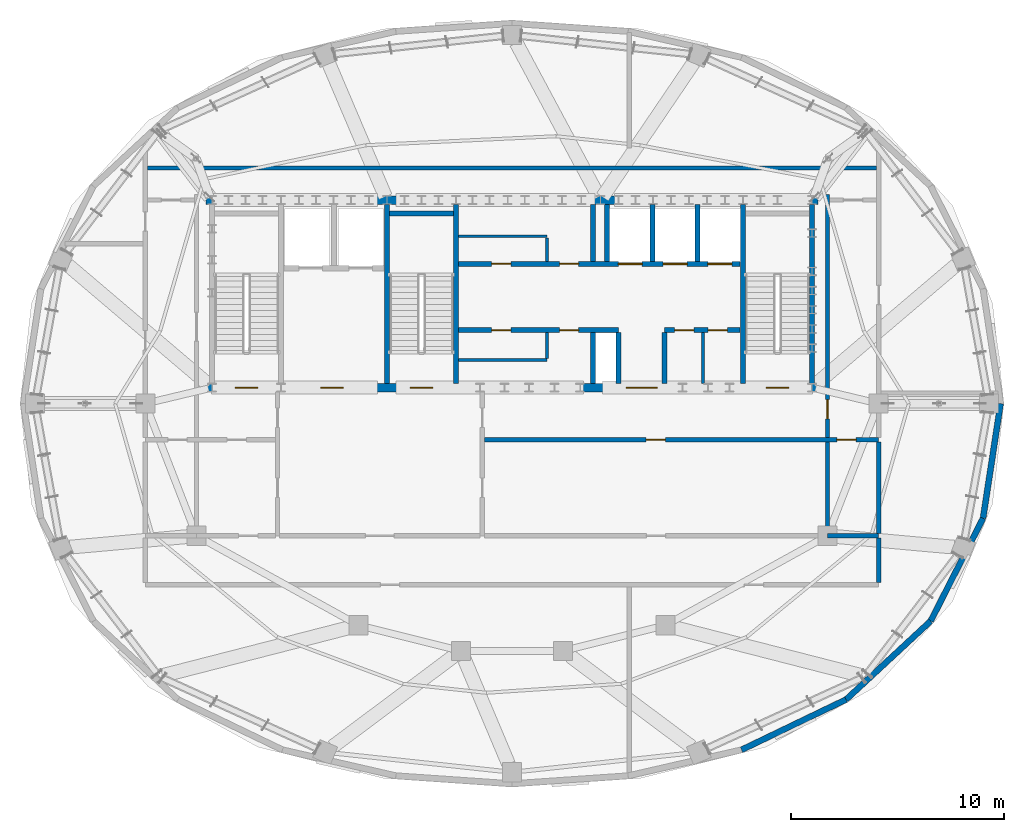
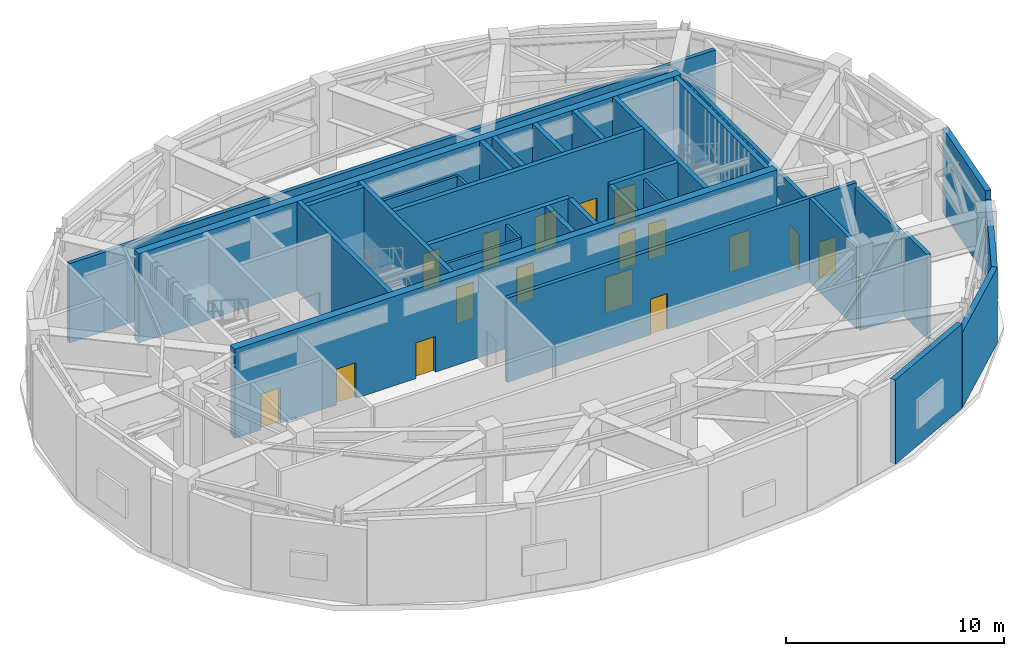
# One storey, part 11 of 15: 33 walls, 17 doors, 17 openings.
"""IFC4 building model written with IfcOpenShell, lengths in metres."""

from ifc_helpers import new_model, si_unit, direction, frame, frame_2d, origin, place, context, subcontext, project, spatial, rectangle, extrude, material, layer, layer_set, type_object, element, fill, save


model = new_model("IFC4")

# Units and contexts
model_context = context("Model", 3, precision=1e-05, world=origin(), true_north=direction((0.0, 1.0)))
body_context = subcontext(model_context, "Body", "Model", "MODEL_VIEW")
ifc_project = project(units=[si_unit("LENGTHUNIT", "METRE"), si_unit("AREAUNIT", "SQUARE_METRE"), si_unit("VOLUMEUNIT", "CUBIC_METRE"), si_unit("PLANEANGLEUNIT", "RADIAN"), si_unit("MASSUNIT", "GRAM", prefix="KILO")], contexts=[model_context])

# Site, building, storey
site_placement = place(None, origin())
site = spatial("IfcSite", under=ifc_project, at=site_placement, CompositionType="ELEMENT")
building_placement = place(site_placement, origin())
building = spatial("IfcBuilding", under=site, at=building_placement, Name="Haldorwick Loom Tower", CompositionType="ELEMENT")
storey_placement = place(building_placement, frame((0.0, 0.0, 286.5)))
storey = spatial("IfcBuildingStorey", under=building, at=storey_placement, Name="L77", CompositionType="ELEMENT", Elevation=286.5)

# Walls
ifc_material_1 = material(Name="Pressed Clay Face Brick and Insulated Masonry Backup Assembly", Category="masonry")
ifc_layer_1 = layer(ifc_material_1, 0.280029296875, Name="Pressed Clay Face Brick and Insulated Masonry Backup Assembly", Category="masonry")
ifc_layer_set_1 = layer_set([ifc_layer_1], Name="Pressed Clay Face Brick and Insulated Masonry Backup Assembly")
wall_type_1 = type_object("IfcWallType", Name="ARC-WL-EXT280", PredefinedType="STANDARD", material=ifc_layer_set_1)
wall_1_placement = place(storey_placement, frame((46.768798828125, 9.755859375, 0.0), z_axis=(0.0, 0.0, 1.0), x_axis=(0.901083511605, 0.433645598518, 0.0)))
element("IfcWall", 1, at=wall_1_placement, inside=storey, type_object=wall_type_1, Name="L77 Brick Pier and Spandrel Wall 21", PredefinedType="STANDARD", context=body_context, shape_type="SweptSolid", body=[
    extrude(rectangle(XDim=5.440185546875, YDim=0.280029296875, at=frame_2d((2.72021484375, 0.0))), origin(), (0.0, 0.0, 1.0), 4.719970703125),
])
for number, where, z_axis, x_axis, name in (
    (2, (51.6708984375, 12.114990234375, 0.0), (0.0, 0.0, 1.0), (0.733156506145, 0.680059951399, 0.0), "L77 Brick Pier and Spandrel Wall 22"),
    (3, (55.638671875, 15.79541015625, 0.0), (0.0, 0.0, 1.0), (0.454417014044, 0.890789075678, 0.0), "L77 Brick Pier and Spandrel Wall 23"),
):
    element("IfcWall", number, at=place(storey_placement, frame(where, z_axis=z_axis, x_axis=x_axis)), inside=storey, type_object=wall_type_1, Name=name, PredefinedType="STANDARD", context=body_context, shape_type="SweptSolid", body=[
        extrude(rectangle(XDim=5.411865234375, YDim=0.280029296875, at=frame_2d((2.7060546875, 0.0))), origin(), (0.0, 0.0, 1.0), 4.22900390625),
    ])
wall_2_placement = place(storey_placement, frame((58.097900390625, 20.6162109375, 0.0), z_axis=(0.0, 0.0, 1.0), x_axis=(0.151110573005, 0.988516866182, 0.0)))
element("IfcWall", 4, at=wall_2_placement, inside=storey, type_object=wall_type_1, Name="L77 Brick Pier and Spandrel Wall 24", PredefinedType="STANDARD", context=body_context, shape_type="SweptSolid", body=[
    extrude(rectangle(XDim=5.4462890625, YDim=0.280029296875, at=frame_2d((2.72314453125, 0.0))), origin(), (0.0, 0.0, 1.0), 4.719970703125),
])

# Wall, openings, doors
ifc_material_2 = material(Name="Fire-Rated Type X Gypsum Stud Assembly EI 120")
ifc_layer_2 = layer(ifc_material_2, 0.199951171875, Name="Fire-Rated Type X Gypsum Stud Assembly EI 120")
ifc_layer_set_2 = layer_set([ifc_layer_2], Name="Fire-Rated Type X Gypsum Stud Assembly EI 120")
wall_type_2 = type_object("IfcWallType", Name="ARC-WL-FIRE200", PredefinedType="PARTITIONING", material=ifc_layer_set_2)
wall_3_placement = place(storey_placement, frame((34.702880859375, 24.300048828125, 0.0), z_axis=(0.0, 0.0, 1.0), x_axis=(1.0, 0.0, 0.0)))
wall_3 = element("IfcWall", 5, at=wall_3_placement, inside=storey, type_object=wall_type_2, Name="L77 Interior Partition L77-PC-S2", PredefinedType="PARTITIONING", context=body_context, shape_type="SweptSolid", body=[
    extrude(rectangle(XDim=18.4970703125, YDim=0.199951171875, at=frame_2d((9.24853515625, 0.0))), origin(), (0.0, 0.0, 1.0), 4.705078125),
])
opening_1_placement = place(wall_3_placement, frame((7.58740234375, 0.0, 0.0)))
opening_1 = element("IfcOpeningElement", 6, at=opening_1_placement, cuts=wall_3, Name="Opening D-FD60A", PredefinedType="OPENING", context=body_context, shape_type="SweptSolid", body=[
    extrude(rectangle(XDim=0.89990234375, YDim=2.0, at=frame_2d((0.449951171875, 1.0))), frame((0.0, 0.10986328125, 0.0), z_axis=(0.0, -1.0, 0.0), x_axis=(1.0, 0.0, 0.0)), (0.0, 0.0, 1.0), 0.219970703125),
])
opening_2_placement = place(wall_3_placement, frame((16.53564453125, 0.0, 0.0)))
opening_2 = element("IfcOpeningElement", 7, at=opening_2_placement, cuts=wall_3, Name="Opening D-FD60A", PredefinedType="OPENING", context=body_context, shape_type="SweptSolid", body=[
    extrude(rectangle(XDim=0.89990234375, YDim=2.0, at=frame_2d((0.449951171875, 1.0))), frame((0.0, 0.10986328125, 0.0), z_axis=(0.0, -1.0, 0.0), x_axis=(1.0, 0.0, 0.0)), (0.0, 0.0, 1.0), 0.219970703125),
])
ifc_material_3 = material(Name="Hollow Steel Fire Door Assembly", Category="steel")
door_type_1 = type_object("IfcDoorType", Name="ARC-DR-FD60-90", OperationType="NOTDEFINED", PredefinedType="DOOR", material=ifc_material_3)
door_1_placement = place(opening_1_placement, origin())
door_1 = element("IfcDoor", 8, at=door_1_placement, inside=storey, type_object=door_type_1, Name="L77 East Plant Exit Corridor to Electrical Transformer Room 6 Door", OperationType="SINGLE_SWING_RIGHT", OverallHeight=2.0, OverallWidth=0.89990234375, PredefinedType="DOOR", context=body_context, shape_type="SweptSolid", body=[
    extrude(rectangle(XDim=0.89990234375, YDim=2.0, at=frame_2d((0.449951171875, 1.0))), frame((0.0, 0.02490234375, 0.0), z_axis=(0.0, -1.0, 0.0), x_axis=(1.0, 0.0, 0.0)), (0.0, 0.0, 1.0), 0.050048828125),
])
fill(opening_1, door_1)
door_2_placement = place(opening_2_placement, origin())
door_2 = element("IfcDoor", 9, at=door_2_placement, inside=storey, type_object=door_type_1, Name="L77 East Mechanical Corridor to Pump and Tank Plant 7 Door", OperationType="SINGLE_SWING_LEFT", OverallHeight=2.0, OverallWidth=0.89990234375, PredefinedType="DOOR", context=body_context, shape_type="SweptSolid", body=[
    extrude(rectangle(XDim=0.89990234375, YDim=2.0, at=frame_2d((0.449951171875, 1.0))), frame((0.0, 0.02490234375, 0.0), z_axis=(0.0, -1.0, 0.0), x_axis=(1.0, 0.0, 0.0)), (0.0, 0.0, 1.0), 0.050048828125),
])
fill(opening_2, door_2)

# Walls
wall_4_placement = place(storey_placement, frame((50.800048828125, 19.800048828125, 0.0), z_axis=(0.0, 0.0, 1.0), x_axis=(1.0, 0.0, 0.0)))
element("IfcWall", 10, at=wall_4_placement, inside=storey, type_object=wall_type_2, Name="L77 Interior Partition L77-PC-S4E", PredefinedType="PARTITIONING", context=body_context, shape_type="SweptSolid", body=[
    extrude(rectangle(XDim=2.39990234375, YDim=0.199951171875, at=frame_2d((1.199951171875, 0.0))), origin(), (0.0, 0.0, 1.0), 2.89501953125),
])
wall_5_placement = place(storey_placement, frame((53.199951171875, 17.60302734375, 0.0), z_axis=(0.0, 0.0, 1.0), x_axis=(0.0, 1.0, 0.0)))
element("IfcWall", 11, at=wall_5_placement, inside=storey, type_object=wall_type_2, Name="L77 Interior Partition L77-PC-E1", PredefinedType="PARTITIONING", context=body_context, shape_type="SweptSolid", body=[
    extrude(rectangle(XDim=2.093994140625, YDim=0.199951171875, at=frame_2d((1.046875, 0.0))), origin(), (0.0, 0.0, 1.0), 4.705078125),
])
wall_6_placement = place(storey_placement, frame((53.199951171875, 19.903076171875, 0.0), z_axis=(0.0, 0.0, 1.0), x_axis=(0.0, 1.0, 0.0)))
element("IfcWall", 12, at=wall_6_placement, inside=storey, type_object=wall_type_2, Name="L77 Interior Partition L77-PC-E1", PredefinedType="PARTITIONING", context=body_context, shape_type="SweptSolid", body=[
    extrude(rectangle(XDim=4.2939453125, YDim=0.199951171875, at=frame_2d((2.14697265625, 0.0))), origin(), (0.0, 0.0, 1.0), 4.43701171875),
])
wall_7_placement = place(storey_placement, frame((50.800048828125, 19.903076171875, 0.0), z_axis=(0.0, 0.0, 1.0), x_axis=(0.0, 1.0, 0.0)))
element("IfcWall", 13, at=wall_7_placement, inside=storey, type_object=wall_type_2, Name="L77 Interior Partition L77-PC-E2", PredefinedType="PARTITIONING", context=body_context, shape_type="SweptSolid", body=[
    extrude(rectangle(XDim=4.2939453125, YDim=0.199951171875, at=frame_2d((2.14697265625, 0.0))), origin(), (0.0, 0.0, 1.0), 4.705078125),
])

# Wall, opening, door
wall_8_placement = place(storey_placement, frame((50.800048828125, 24.403076171875, 0.0), z_axis=(0.0, 0.0, 1.0), x_axis=(0.0, 1.0, 0.0)))
wall_8 = element("IfcWall", 14, at=wall_8_placement, inside=storey, type_object=wall_type_2, Name="L77 Interior Partition L77-PC-E2", PredefinedType="PARTITIONING", context=body_context, shape_type="SweptSolid", body=[
    extrude(rectangle(XDim=11.39697265625, YDim=0.199951171875, at=frame_2d((5.698486328125, 0.0))), origin(), (0.0, 0.0, 1.0), 4.43701171875),
])
opening_3_placement = place(wall_8_placement, frame((0.88037109375, 0.0, 0.0)))
opening_3 = element("IfcOpeningElement", 15, at=opening_3_placement, cuts=wall_8, Name="Opening D-FD60A", PredefinedType="OPENING", context=body_context, shape_type="SweptSolid", body=[
    extrude(rectangle(XDim=0.89990234375, YDim=2.0, at=frame_2d((0.449951171875, 1.0))), frame((0.0, 0.10986328125, 0.0), z_axis=(0.0, -1.0, 0.0), x_axis=(1.0, 0.0, 0.0)), (0.0, 0.0, 1.0), 0.219970703125),
])
door_3_placement = place(opening_3_placement, origin())
door_3 = element("IfcDoor", 16, at=door_3_placement, inside=storey, type_object=door_type_1, Name="L77 East Plant Exit Corridor to East Mechanical Corridor Door", OperationType="SINGLE_SWING_RIGHT", OverallHeight=2.0, OverallWidth=0.89990234375, PredefinedType="DOOR", context=body_context, shape_type="SweptSolid", body=[
    extrude(rectangle(XDim=0.89990234375, YDim=2.0, at=frame_2d((0.449951171875, 1.0))), frame((0.0, 0.02490234375, 0.0), z_axis=(0.0, -1.0, 0.0), x_axis=(1.0, 0.0, 0.0)), (0.0, 0.0, 1.0), 0.050048828125),
])
fill(opening_3, door_3)

# Walls
wall_9_placement = place(storey_placement, frame((18.903076171875, 37.050048828125, 0.0), z_axis=(0.0, 0.0, 1.0), x_axis=(1.0, 0.0, 0.0)))
element("IfcWall", 17, at=wall_9_placement, inside=storey, type_object=wall_type_2, Name="L77 Interior Partition L77-PC-N1", PredefinedType="PARTITIONING", context=body_context, shape_type="SweptSolid", body=[
    extrude(rectangle(XDim=34.19384765625, YDim=0.199951171875, at=frame_2d((17.096923828125, 0.0))), origin(), (0.0, 0.0, 1.0), 4.43701171875),
])
ifc_material_4 = material(Name="Fire-Rated Type X Gypsum Stud Assembly EI 60")
ifc_layer_3 = layer(ifc_material_4, 0.139892578125, Name="Fire-Rated Type X Gypsum Stud Assembly EI 60")
ifc_layer_set_3 = layer_set([ifc_layer_3], Name="Fire-Rated Type X Gypsum Stud Assembly EI 60")
wall_type_3 = type_object("IfcWallType", Name="ARC-WL-PART140", PredefinedType="PARTITIONING", material=ifc_layer_set_3)
wall_10_placement = place(storey_placement, frame((33.492919921875, 33.85009765625, 0.0), z_axis=(0.0, 0.0, 1.0), x_axis=(1.0, 0.0, 0.0)))
element("IfcWall", 18, at=wall_10_placement, inside=storey, type_object=wall_type_3, Name="L77 Storage South Partition", PredefinedType="PARTITIONING", context=body_context, shape_type="SweptSolid", body=[
    extrude(rectangle(XDim=4.156982421875, YDim=0.139892578125, at=frame_2d((2.07861328125, 0.0))), origin(), (0.0, 0.0, 1.0), 4.705078125),
])
wall_11_placement = place(storey_placement, frame((37.64990234375, 32.673095703125, 0.0), z_axis=(0.0, 0.0, 1.0), x_axis=(0.0, 1.0, 0.0)))
element("IfcWall", 19, at=wall_11_placement, inside=storey, type_object=wall_type_3, Name="L77 Storage East Partition", PredefinedType="PARTITIONING", context=body_context, shape_type="SweptSolid", body=[
    extrude(rectangle(XDim=1.10400390625, YDim=0.139892578125, at=frame_2d((0.552001953125, 0.0))), origin(), (0.0, 0.0, 1.0), 4.705078125),
])
wall_12_placement = place(storey_placement, frame((33.492919921875, 28.050048828125, 0.0), z_axis=(0.0, 0.0, 1.0), x_axis=(1.0, 0.0, 0.0)))
element("IfcWall", 20, at=wall_12_placement, inside=storey, type_object=wall_type_3, Name="L77 Mid-Bank North Partition", PredefinedType="PARTITIONING", context=body_context, shape_type="SweptSolid", body=[
    extrude(rectangle(XDim=4.156982421875, YDim=0.139892578125, at=frame_2d((2.07861328125, 0.0))), origin(), (0.0, 0.0, 1.0), 4.705078125),
])
wall_13_placement = place(storey_placement, frame((37.64990234375, 28.123046875, 0.0), z_axis=(0.0, 0.0, 1.0), x_axis=(0.0, 1.0, 0.0)))
element("IfcWall", 21, at=wall_13_placement, inside=storey, type_object=wall_type_3, Name="L77 Mid-Bank East Partition", PredefinedType="PARTITIONING", context=body_context, shape_type="SweptSolid", body=[
    extrude(rectangle(XDim=1.203857421875, YDim=0.139892578125, at=frame_2d((0.60205078125, 0.0))), origin(), (0.0, 0.0, 1.0), 4.705078125),
])
wall_14_placement = place(storey_placement, frame((44.949951171875, 26.952880859375, 0.0), z_axis=(0.0, 0.0, 1.0), x_axis=(0.0, 1.0, 0.0)))
element("IfcWall", 22, at=wall_14_placement, inside=storey, type_object=wall_type_3, Name="L77 Service Partition", PredefinedType="PARTITIONING", context=body_context, shape_type="SweptSolid", body=[
    extrude(rectangle(XDim=2.3740234375, YDim=0.139892578125, at=frame_2d((1.18701171875, 0.0))), origin(), (0.0, 0.0, 1.0), 4.705078125),
])

# Wall, openings, doors
ifc_material_5 = material(Name="Concrete C50 (50 MPa)", Category="concrete")
ifc_layer_4 = layer(ifc_material_5, 0.39990234375, Name="Concrete C50 (50 MPa)", Category="concrete")
ifc_layer_set_4 = layer_set([ifc_layer_4], Name="Concrete C50 (50 MPa)")
wall_type_4 = type_object("IfcWallType", Name="STR-WL-CORE400", PredefinedType="SHEAR", material=ifc_layer_set_4)
wall_15_placement = place(storey_placement, frame((21.64990234375, 26.75, 0.0), z_axis=(0.0, 0.0, 1.0), x_axis=(1.0, 0.0, 0.0)))
wall_15 = element("IfcWall", 23, at=wall_15_placement, inside=storey, type_object=wall_type_4, Name="L77 Core Shear Wall S", PredefinedType="SHEAR", context=body_context, shape_type="SweptSolid", body=[
    extrude(rectangle(XDim=28.7001953125, YDim=0.39990234375, at=frame_2d((14.35009765625, 0.0))), origin(), (0.0, 0.0, 1.0), 5.0),
])
opening_4_placement = place(wall_15_placement, frame((1.375, 0.0, 0.0)))
opening_4 = element("IfcOpeningElement", 24, at=opening_4_placement, cuts=wall_15, Name="Opening D-FD60", PredefinedType="OPENING", context=body_context, shape_type="SweptSolid", body=[
    extrude(rectangle(XDim=1.050048828125, YDim=2.0, at=frame_2d((0.52490234375, 1.0))), frame((0.0, 0.2099609375, 0.0), z_axis=(0.0, -1.0, 0.0), x_axis=(1.0, 0.0, 0.0)), (0.0, 0.0, 1.0), 0.419921875),
])
opening_5_placement = place(wall_15_placement, frame((5.375, 0.0, 0.0)))
opening_5 = element("IfcOpeningElement", 25, at=opening_5_placement, cuts=wall_15, Name="Opening D-FD60", PredefinedType="OPENING", context=body_context, shape_type="SweptSolid", body=[
    extrude(rectangle(XDim=1.050048828125, YDim=2.0, at=frame_2d((0.52490234375, 1.0))), frame((0.0, 0.2099609375, 0.0), z_axis=(0.0, -1.0, 0.0), x_axis=(1.0, 0.0, 0.0)), (0.0, 0.0, 1.0), 0.419921875),
])
opening_6_placement = place(wall_15_placement, frame((9.574951171875, 0.0, 0.0)))
opening_6 = element("IfcOpeningElement", 26, at=opening_6_placement, cuts=wall_15, Name="Opening D-FD60", PredefinedType="OPENING", context=body_context, shape_type="SweptSolid", body=[
    extrude(rectangle(XDim=1.050048828125, YDim=2.0, at=frame_2d((0.52490234375, 1.0))), frame((0.0, 0.2099609375, 0.0), z_axis=(0.0, -1.0, 0.0), x_axis=(1.0, 0.0, 0.0)), (0.0, 0.0, 1.0), 0.419921875),
])
opening_7_placement = place(wall_15_placement, frame((19.705078125, 0.0, 0.0)))
opening_7 = element("IfcOpeningElement", 27, at=opening_7_placement, cuts=wall_15, Name="Opening D-LB15", PredefinedType="OPENING", context=body_context, shape_type="SweptSolid", body=[
    extrude(rectangle(XDim=1.449951171875, YDim=2.0, at=frame_2d((0.72509765625, 1.0))), frame((0.0, 0.2099609375, 0.0), z_axis=(0.0, -1.0, 0.0), x_axis=(1.0, 0.0, 0.0)), (0.0, 0.0, 1.0), 0.419921875),
])
opening_8_placement = place(wall_15_placement, frame((26.27490234375, 0.0, 0.0)))
opening_8 = element("IfcOpeningElement", 28, at=opening_8_placement, cuts=wall_15, Name="Opening D-FD60", PredefinedType="OPENING", context=body_context, shape_type="SweptSolid", body=[
    extrude(rectangle(XDim=1.050048828125, YDim=2.0, at=frame_2d((0.52490234375, 1.0))), frame((0.0, 0.2099609375, 0.0), z_axis=(0.0, -1.0, 0.0), x_axis=(1.0, 0.0, 0.0)), (0.0, 0.0, 1.0), 0.419921875),
])
door_type_2 = type_object("IfcDoorType", Name="ARC-DR-FD60", OperationType="NOTDEFINED", PredefinedType="DOOR", material=ifc_material_3)
door_4_placement = place(opening_4_placement, origin())
door_4 = element("IfcDoor", 29, at=door_4_placement, inside=storey, type_object=door_type_2, Name="L77 Exit Stair ST-01 Fire Door", OperationType="SINGLE_SWING_LEFT", OverallHeight=2.0, OverallWidth=1.050048828125, PredefinedType="DOOR", context=body_context, shape_type="SweptSolid", body=[
    extrude(rectangle(XDim=1.050048828125, YDim=2.0, at=frame_2d((0.52490234375, 1.0))), frame((0.0, 0.02490234375, 0.0), z_axis=(0.0, -1.0, 0.0), x_axis=(1.0, 0.0, 0.0)), (0.0, 0.0, 1.0), 0.050048828125),
])
fill(opening_4, door_4)
door_5_placement = place(opening_5_placement, origin())
door_5 = element("IfcDoor", 30, at=door_5_placement, inside=storey, type_object=door_type_2, Name="L77 Firefighting Lift Lobby Fire Door", OperationType="SINGLE_SWING_RIGHT", OverallHeight=2.0, OverallWidth=1.050048828125, PredefinedType="DOOR", context=body_context, shape_type="SweptSolid", body=[
    extrude(rectangle(XDim=1.050048828125, YDim=2.0, at=frame_2d((0.52490234375, 1.0))), frame((0.0, 0.02490234375, 0.0), z_axis=(0.0, -1.0, 0.0), x_axis=(1.0, 0.0, 0.0)), (0.0, 0.0, 1.0), 0.050048828125),
])
fill(opening_5, door_5)
door_6_placement = place(opening_6_placement, origin())
door_6 = element("IfcDoor", 31, at=door_6_placement, inside=storey, type_object=door_type_2, Name="L77 Exit Stair ST-03 Fire Door", OperationType="SINGLE_SWING_LEFT", OverallHeight=2.0, OverallWidth=1.050048828125, PredefinedType="DOOR", context=body_context, shape_type="SweptSolid", body=[
    extrude(rectangle(XDim=1.050048828125, YDim=2.0, at=frame_2d((0.52490234375, 1.0))), frame((0.0, 0.02490234375, 0.0), z_axis=(0.0, -1.0, 0.0), x_axis=(1.0, 0.0, 0.0)), (0.0, 0.0, 1.0), 0.050048828125),
])
fill(opening_6, door_6)
door_7_placement = place(opening_8_placement, origin())
door_7 = element("IfcDoor", 32, at=door_7_placement, inside=storey, type_object=door_type_2, Name="L77 Exit Stair ST-02 Fire Door", OperationType="SINGLE_SWING_LEFT", OverallHeight=2.0, OverallWidth=1.050048828125, PredefinedType="DOOR", context=body_context, shape_type="SweptSolid", body=[
    extrude(rectangle(XDim=1.050048828125, YDim=2.0, at=frame_2d((0.52490234375, 1.0))), frame((0.0, 0.02490234375, 0.0), z_axis=(0.0, -1.0, 0.0), x_axis=(1.0, 0.0, 0.0)), (0.0, 0.0, 1.0), 0.050048828125),
])
fill(opening_8, door_7)
ifc_material_6 = material(Name="Thermally Broken Anodized Aluminium and Tempered Glass", Category="aluminium")
door_type_3 = type_object("IfcDoorType", Name="ARC-DR-LOB150", OperationType="NOTDEFINED", PredefinedType="DOOR", material=ifc_material_6)
door_8_placement = place(opening_7_placement, frame((1.449951171875, 0.0, 0.0), z_axis=(0.0, 0.0, 1.0), x_axis=(-1.0, 0.0, 0.0)))
door_8 = element("IfcDoor", 33, at=door_8_placement, inside=storey, type_object=door_type_3, Name="L77 Passenger Lift Lobby Fire Door", OperationType="DOUBLE_DOOR_SINGLE_SWING", OverallHeight=2.0, OverallWidth=1.449951171875, PredefinedType="DOOR", context=body_context, shape_type="SweptSolid", body=[
    extrude(rectangle(XDim=1.449951171875, YDim=2.0, at=frame_2d((0.72509765625, 1.0))), frame((0.0, 0.02490234375, 0.0), z_axis=(0.0, -1.0, 0.0), x_axis=(1.0, 0.0, 0.0)), (0.0, 0.0, 1.0), 0.050048828125),
])
fill(opening_7, door_8)

# Walls
wall_16_placement = place(storey_placement, frame((50.35009765625, 35.550048828125, 0.0), z_axis=(0.0, 0.0, 1.0), x_axis=(-1.0, 0.0, 0.0)))
element("IfcWall", 34, at=wall_16_placement, inside=storey, type_object=wall_type_4, Name="L77 Core Shear Wall N", PredefinedType="SHEAR", context=body_context, shape_type="SweptSolid", body=[
    extrude(rectangle(XDim=28.7001953125, YDim=0.39990234375, at=frame_2d((14.35009765625, 0.0))), origin(), (0.0, 0.0, 1.0), 5.0),
])
ifc_layer_5 = layer(ifc_material_5, 0.239990234375, Name="Concrete C50 (50 MPa)", Category="concrete")
ifc_layer_set_5 = layer_set([ifc_layer_5], Name="Concrete C50 (50 MPa)")
wall_type_5 = type_object("IfcWallType", Name="STR-WL-SHAFT240", PredefinedType="SHEAR", material=ifc_layer_set_5)
for number, where, z_axis, x_axis, name in (
    (35, (50.070068359375, 26.952880859375, 0.0), (0.0, 0.0, 1.0), (0.0, 1.0, 0.0), "L77 Core Shear Wall E"),
    (36, (30.1298828125, 26.952880859375, 0.0), (0.0, 0.0, 1.0), (0.0, 1.0, 0.0), "L77 Core Shear Wall 2"),
    (37, (33.3701171875, 26.952880859375, 0.0), (0.0, 0.0, 1.0), (0.0, 1.0, 0.0), "L77 Core Shear Wall 3"),
):
    element("IfcWall", number, at=place(storey_placement, frame(where, z_axis=z_axis, x_axis=x_axis)), inside=storey, type_object=wall_type_5, Name=name, PredefinedType="SHEAR", context=body_context, shape_type="SweptSolid", body=[
        extrude(rectangle(XDim=8.39404296875, YDim=0.239990234375, at=frame_2d((4.197021484375, 0.0))), origin(), (0.0, 0.0, 1.0), 5.0),
    ])
wall_17_placement = place(storey_placement, frame((30.2529296875, 34.919921875, 0.0), z_axis=(0.0, 0.0, 1.0), x_axis=(1.0, 0.0, 0.0)))
element("IfcWall", 38, at=wall_17_placement, inside=storey, type_object=wall_type_5, Name="L77 Core Shear Wall 3N", PredefinedType="SHEAR", context=body_context, shape_type="SweptSolid", body=[
    extrude(rectangle(XDim=2.994140625, YDim=0.239990234375, at=frame_2d((1.4970703125, 0.0))), origin(), (0.0, 0.0, 1.0), 5.0),
])
wall_18_placement = place(storey_placement, frame((46.830078125, 26.952880859375, 0.0), z_axis=(0.0, 0.0, 1.0), x_axis=(0.0, 1.0, 0.0)))
element("IfcWall", 39, at=wall_18_placement, inside=storey, type_object=wall_type_5, Name="L77 Core Shear Wall 4", PredefinedType="SHEAR", context=body_context, shape_type="SweptSolid", body=[
    extrude(rectangle(XDim=8.39404296875, YDim=0.239990234375, at=frame_2d((4.197021484375, 0.0))), origin(), (0.0, 0.0, 1.0), 5.0),
])

# Wall, openings, doors
wall_19_placement = place(storey_placement, frame((33.492919921875, 32.550048828125, 0.0), z_axis=(0.0, 0.0, 1.0), x_axis=(1.0, 0.0, 0.0)))
wall_19 = element("IfcWall", 40, at=wall_19_placement, inside=storey, type_object=wall_type_5, Name="L77 Core Shear Wall LN", PredefinedType="SHEAR", context=body_context, shape_type="SweptSolid", body=[
    extrude(rectangle(XDim=13.214111328125, YDim=0.239990234375, at=frame_2d((6.60693359375, 0.0))), origin(), (0.0, 0.0, 1.0), 5.0),
])
opening_9_placement = place(wall_19_placement, frame((1.556884765625, 0.0, 0.0)))
opening_9 = element("IfcOpeningElement", 41, at=opening_9_placement, cuts=wall_19, Name="Opening D-FD60A", PredefinedType="OPENING", context=body_context, shape_type="SweptSolid", body=[
    extrude(rectangle(XDim=0.89990234375, YDim=2.0, at=frame_2d((0.449951171875, 1.0))), frame((0.0, 0.1298828125, 0.0), z_axis=(0.0, -1.0, 0.0), x_axis=(1.0, 0.0, 0.0)), (0.0, 0.0, 1.0), 0.260009765625),
])
opening_10_placement = place(wall_19_placement, frame((4.737060546875, 0.0, 0.0)))
opening_10 = element("IfcOpeningElement", 42, at=opening_10_placement, cuts=wall_19, Name="Opening D-FD60A", PredefinedType="OPENING", context=body_context, shape_type="SweptSolid", body=[
    extrude(rectangle(XDim=0.89990234375, YDim=2.0, at=frame_2d((0.449951171875, 1.0))), frame((0.0, 0.1298828125, 0.0), z_axis=(0.0, -1.0, 0.0), x_axis=(1.0, 0.0, 0.0)), (0.0, 0.0, 1.0), 0.260009765625),
])
opening_11_placement = place(wall_19_placement, frame((7.4970703125, 0.0, 0.0)))
opening_11 = element("IfcOpeningElement", 43, at=opening_11_placement, cuts=wall_19, Name="Opening LD-H1", PredefinedType="OPENING", context=body_context, shape_type="SweptSolid", body=[
    extrude(rectangle(XDim=1.1201171875, YDim=2.0, at=frame_2d((0.56005859375, 1.0))), frame((0.0, 0.1298828125, 0.0), z_axis=(0.0, -1.0, 0.0), x_axis=(1.0, 0.0, 0.0)), (0.0, 0.0, 1.0), 0.260009765625),
])
opening_12_placement = place(wall_19_placement, frame((9.596923828125, 0.0, 0.0)))
opening_12 = element("IfcOpeningElement", 44, at=opening_12_placement, cuts=wall_19, Name="Opening LD-H2", PredefinedType="OPENING", context=body_context, shape_type="SweptSolid", body=[
    extrude(rectangle(XDim=1.1201171875, YDim=2.0, at=frame_2d((0.56005859375, 1.0))), frame((0.0, 0.1298828125, 0.0), z_axis=(0.0, -1.0, 0.0), x_axis=(1.0, 0.0, 0.0)), (0.0, 0.0, 1.0), 0.260009765625),
])
opening_13_placement = place(wall_19_placement, frame((11.697021484375, 0.0, 0.0)))
opening_13 = element("IfcOpeningElement", 45, at=opening_13_placement, cuts=wall_19, Name="Opening LD-H3", PredefinedType="OPENING", context=body_context, shape_type="SweptSolid", body=[
    extrude(rectangle(XDim=1.1201171875, YDim=2.0, at=frame_2d((0.56005859375, 1.0))), frame((0.0, 0.1298828125, 0.0), z_axis=(0.0, -1.0, 0.0), x_axis=(1.0, 0.0, 0.0)), (0.0, 0.0, 1.0), 0.260009765625),
])
door_9_placement = place(opening_9_placement, frame((0.89990234375, 0.0, 0.0), z_axis=(0.0, 0.0, 1.0), x_axis=(-1.0, 0.0, 0.0)))
door_9 = element("IfcDoor", 46, at=door_9_placement, inside=storey, type_object=door_type_1, Name="L77 Resident Storage Door", OperationType="SINGLE_SWING_LEFT", OverallHeight=2.0, OverallWidth=0.89990234375, PredefinedType="DOOR", context=body_context, shape_type="SweptSolid", body=[
    extrude(rectangle(XDim=0.89990234375, YDim=2.0, at=frame_2d((0.449951171875, 1.0))), frame((0.0, 0.02490234375, 0.0), z_axis=(0.0, -1.0, 0.0), x_axis=(1.0, 0.0, 0.0)), (0.0, 0.0, 1.0), 0.050048828125),
])
fill(opening_9, door_9)
door_10_placement = place(opening_10_placement, frame((0.89990234375, 0.0, 0.0), z_axis=(0.0, 0.0, 1.0), x_axis=(-1.0, 0.0, 0.0)))
door_10 = element("IfcDoor", 47, at=door_10_placement, inside=storey, type_object=door_type_1, Name="L77 Laundry Door", OperationType="SINGLE_SWING_RIGHT", OverallHeight=2.0, OverallWidth=0.89990234375, PredefinedType="DOOR", context=body_context, shape_type="SweptSolid", body=[
    extrude(rectangle(XDim=0.89990234375, YDim=2.0, at=frame_2d((0.449951171875, 1.0))), frame((0.0, 0.02490234375, 0.0), z_axis=(0.0, -1.0, 0.0), x_axis=(1.0, 0.0, 0.0)), (0.0, 0.0, 1.0), 0.050048828125),
])
fill(opening_10, door_10)
door_type_4 = type_object("IfcDoorType", Name="ARC-DR-LD-PAX", OperationType="NOTDEFINED", PredefinedType="USERDEFINED", material=ifc_material_3)
door_11_placement = place(opening_11_placement, origin())
door_11 = element("IfcDoor", 48, at=door_11_placement, inside=storey, type_object=door_type_4, Name="L77 Lift LF-H1 Sliding Landing Door", ObjectType="LANDING DOOR", OperationType="DOUBLE_DOOR_SLIDING", OverallHeight=2.0, OverallWidth=1.1201171875, PredefinedType="USERDEFINED", context=body_context, shape_type="SweptSolid", body=[
    extrude(rectangle(XDim=1.1201171875, YDim=2.0, at=frame_2d((0.56005859375, 1.0))), frame((0.0, 0.02490234375, 0.0), z_axis=(0.0, -1.0, 0.0), x_axis=(1.0, 0.0, 0.0)), (0.0, 0.0, 1.0), 0.050048828125),
])
fill(opening_11, door_11)
door_12_placement = place(opening_12_placement, origin())
door_12 = element("IfcDoor", 49, at=door_12_placement, inside=storey, type_object=door_type_4, Name="L77 Lift LF-H2 Sliding Landing Door", ObjectType="LANDING DOOR", OperationType="DOUBLE_DOOR_SLIDING", OverallHeight=2.0, OverallWidth=1.1201171875, PredefinedType="USERDEFINED", context=body_context, shape_type="SweptSolid", body=[
    extrude(rectangle(XDim=1.1201171875, YDim=2.0, at=frame_2d((0.56005859375, 1.0))), frame((0.0, 0.02490234375, 0.0), z_axis=(0.0, -1.0, 0.0), x_axis=(1.0, 0.0, 0.0)), (0.0, 0.0, 1.0), 0.050048828125),
])
fill(opening_12, door_12)
door_13_placement = place(opening_13_placement, origin())
door_13 = element("IfcDoor", 50, at=door_13_placement, inside=storey, type_object=door_type_4, Name="L77 Lift LF-H3 Sliding Landing Door", ObjectType="LANDING DOOR", OperationType="DOUBLE_DOOR_SLIDING", OverallHeight=2.0, OverallWidth=1.1201171875, PredefinedType="USERDEFINED", context=body_context, shape_type="SweptSolid", body=[
    extrude(rectangle(XDim=1.1201171875, YDim=2.0, at=frame_2d((0.56005859375, 1.0))), frame((0.0, 0.02490234375, 0.0), z_axis=(0.0, -1.0, 0.0), x_axis=(1.0, 0.0, 0.0)), (0.0, 0.0, 1.0), 0.050048828125),
])
fill(opening_13, door_13)

wall_20_placement = place(storey_placement, frame((33.492919921875, 29.449951171875, 0.0), z_axis=(0.0, 0.0, 1.0), x_axis=(1.0, 0.0, 0.0)))
wall_20 = element("IfcWall", 51, at=wall_20_placement, inside=storey, type_object=wall_type_5, Name="L77 Core Shear Wall LS1", PredefinedType="SHEAR", context=body_context, shape_type="SweptSolid", body=[
    extrude(rectangle(XDim=7.507080078125, YDim=0.239990234375, at=frame_2d((3.75341796875, 0.0))), origin(), (0.0, 0.0, 1.0), 5.0),
])
opening_14_placement = place(wall_20_placement, frame((1.556884765625, 0.0, 0.0)))
opening_14 = element("IfcOpeningElement", 52, at=opening_14_placement, cuts=wall_20, Name="Opening D-FD60A", PredefinedType="OPENING", context=body_context, shape_type="SweptSolid", body=[
    extrude(rectangle(XDim=0.89990234375, YDim=2.0, at=frame_2d((0.449951171875, 1.0))), frame((0.0, 0.1298828125, 0.0), z_axis=(0.0, -1.0, 0.0), x_axis=(1.0, 0.0, 0.0)), (0.0, 0.0, 1.0), 0.260009765625),
])
opening_15_placement = place(wall_20_placement, frame((4.737060546875, 0.0, 0.0)))
opening_15 = element("IfcOpeningElement", 53, at=opening_15_placement, cuts=wall_20, Name="Opening D-FD60A", PredefinedType="OPENING", context=body_context, shape_type="SweptSolid", body=[
    extrude(rectangle(XDim=0.89990234375, YDim=2.0, at=frame_2d((0.449951171875, 1.0))), frame((0.0, 0.1298828125, 0.0), z_axis=(0.0, -1.0, 0.0), x_axis=(1.0, 0.0, 0.0)), (0.0, 0.0, 1.0), 0.260009765625),
])
door_14_placement = place(opening_14_placement, origin())
door_14 = element("IfcDoor", 54, at=door_14_placement, inside=storey, type_object=door_type_1, Name="L77 Sky Storage Door", OperationType="SINGLE_SWING_LEFT", OverallHeight=2.0, OverallWidth=0.89990234375, PredefinedType="DOOR", context=body_context, shape_type="SweptSolid", body=[
    extrude(rectangle(XDim=0.89990234375, YDim=2.0, at=frame_2d((0.449951171875, 1.0))), frame((0.0, 0.02490234375, 0.0), z_axis=(0.0, -1.0, 0.0), x_axis=(1.0, 0.0, 0.0)), (0.0, 0.0, 1.0), 0.050048828125),
])
fill(opening_14, door_14)
door_15_placement = place(opening_15_placement, origin())
door_15 = element("IfcDoor", 55, at=door_15_placement, inside=storey, type_object=door_type_1, Name="L77 Communications Door", OperationType="SINGLE_SWING_RIGHT", OverallHeight=2.0, OverallWidth=0.89990234375, PredefinedType="DOOR", context=body_context, shape_type="SweptSolid", body=[
    extrude(rectangle(XDim=0.89990234375, YDim=2.0, at=frame_2d((0.449951171875, 1.0))), frame((0.0, 0.02490234375, 0.0), z_axis=(0.0, -1.0, 0.0), x_axis=(1.0, 0.0, 0.0)), (0.0, 0.0, 1.0), 0.050048828125),
])
fill(opening_15, door_15)

wall_21_placement = place(storey_placement, frame((43.14990234375, 29.449951171875, 0.0), z_axis=(0.0, 0.0, 1.0), x_axis=(1.0, 0.0, 0.0)))
wall_21 = element("IfcWall", 56, at=wall_21_placement, inside=storey, type_object=wall_type_5, Name="L77 Core Shear Wall LS2", PredefinedType="SHEAR", context=body_context, shape_type="SweptSolid", body=[
    extrude(rectangle(XDim=3.55712890625, YDim=0.239990234375, at=frame_2d((1.778564453125, 0.0))), origin(), (0.0, 0.0, 1.0), 5.0),
])
opening_16_placement = place(wall_21_placement, frame((0.47998046875, 0.0, 0.0)))
opening_16 = element("IfcOpeningElement", 57, at=opening_16_placement, cuts=wall_21, Name="Opening D-FD60A", PredefinedType="OPENING", context=body_context, shape_type="SweptSolid", body=[
    extrude(rectangle(XDim=0.89990234375, YDim=2.0, at=frame_2d((0.449951171875, 1.0))), frame((0.0, 0.1298828125, 0.0), z_axis=(0.0, -1.0, 0.0), x_axis=(1.0, 0.0, 0.0)), (0.0, 0.0, 1.0), 0.260009765625),
])
opening_17_placement = place(wall_21_placement, frame((2.050048828125, 0.0, 0.0)))
opening_17 = element("IfcOpeningElement", 58, at=opening_17_placement, cuts=wall_21, Name="Opening D-FD60A", PredefinedType="OPENING", context=body_context, shape_type="SweptSolid", body=[
    extrude(rectangle(XDim=0.89990234375, YDim=2.0, at=frame_2d((0.449951171875, 1.0))), frame((0.0, 0.1298828125, 0.0), z_axis=(0.0, -1.0, 0.0), x_axis=(1.0, 0.0, 0.0)), (0.0, 0.0, 1.0), 0.260009765625),
])
door_16_placement = place(opening_16_placement, origin())
door_16 = element("IfcDoor", 59, at=door_16_placement, inside=storey, type_object=door_type_1, Name="L77 Electrical Room Door", OperationType="SINGLE_SWING_LEFT", OverallHeight=2.0, OverallWidth=0.89990234375, PredefinedType="DOOR", context=body_context, shape_type="SweptSolid", body=[
    extrude(rectangle(XDim=0.89990234375, YDim=2.0, at=frame_2d((0.449951171875, 1.0))), frame((0.0, 0.02490234375, 0.0), z_axis=(0.0, -1.0, 0.0), x_axis=(1.0, 0.0, 0.0)), (0.0, 0.0, 1.0), 0.050048828125),
])
fill(opening_16, door_16)
door_17_placement = place(opening_17_placement, origin())
door_17 = element("IfcDoor", 60, at=door_17_placement, inside=storey, type_object=door_type_1, Name="L77 Cleaner's Store Door", OperationType="SINGLE_SWING_LEFT", OverallHeight=2.0, OverallWidth=0.89990234375, PredefinedType="DOOR", context=body_context, shape_type="SweptSolid", body=[
    extrude(rectangle(XDim=0.89990234375, YDim=2.0, at=frame_2d((0.449951171875, 1.0))), frame((0.0, 0.02490234375, 0.0), z_axis=(0.0, -1.0, 0.0), x_axis=(1.0, 0.0, 0.0)), (0.0, 0.0, 1.0), 0.050048828125),
])
fill(opening_17, door_17)

# Walls
for number, where, z_axis, x_axis, name in (
    (61, (41.0, 26.952880859375, 0.0), (0.0, 0.0, 1.0), (0.0, 1.0, 0.0), "L77 Core Shear Wall THW"),
    (62, (43.14990234375, 26.952880859375, 0.0), (0.0, 0.0, 1.0), (0.0, 1.0, 0.0), "L77 Core Shear Wall THE"),
):
    element("IfcWall", number, at=place(storey_placement, frame(where, z_axis=z_axis, x_axis=x_axis)), inside=storey, type_object=wall_type_5, Name=name, PredefinedType="SHEAR", context=body_context, shape_type="SweptSolid", body=[
        extrude(rectangle(XDim=2.3740234375, YDim=0.239990234375, at=frame_2d((1.18701171875, 0.0))), origin(), (0.0, 0.0, 1.0), 5.0),
    ])
for number, where, z_axis, x_axis, name in (
    (63, (39.800048828125, 32.673095703125, 0.0), (0.0, 0.0, 1.0), (0.0, 1.0, 0.0), "L77 Core Shear Wall LHW"),
    (64, (40.449951171875, 32.673095703125, 0.0), (0.0, 0.0, 1.0), (0.0, 1.0, 0.0), "L77 Core Shear Wall H0"),
    (65, (42.60009765625, 32.673095703125, 0.0), (0.0, 0.0, 1.0), (0.0, 1.0, 0.0), "L77 Core Shear Wall H1"),
    (66, (44.699951171875, 32.673095703125, 0.0), (0.0, 0.0, 1.0), (0.0, 1.0, 0.0), "L77 Core Shear Wall H2"),
):
    element("IfcWall", number, at=place(storey_placement, frame(where, z_axis=z_axis, x_axis=x_axis)), inside=storey, type_object=wall_type_5, Name=name, PredefinedType="SHEAR", context=body_context, shape_type="SweptSolid", body=[
        extrude(rectangle(XDim=2.673828125, YDim=0.239990234375, at=frame_2d((1.3369140625, 0.0))), origin(), (0.0, 0.0, 1.0), 5.0),
    ])
wall_22_placement = place(storey_placement, frame((39.800048828125, 26.952880859375, 0.0), z_axis=(0.0, 0.0, 1.0), x_axis=(0.0, 1.0, 0.0)))
element("IfcWall", 67, at=wall_22_placement, inside=storey, type_object=wall_type_5, Name="L77 Core Shear Wall MRW", PredefinedType="SHEAR", context=body_context, shape_type="SweptSolid", body=[
    extrude(rectangle(XDim=2.3740234375, YDim=0.239990234375, at=frame_2d((1.18701171875, 0.0))), origin(), (0.0, 0.0, 1.0), 5.0),
])

save(model, "model.ifc")
